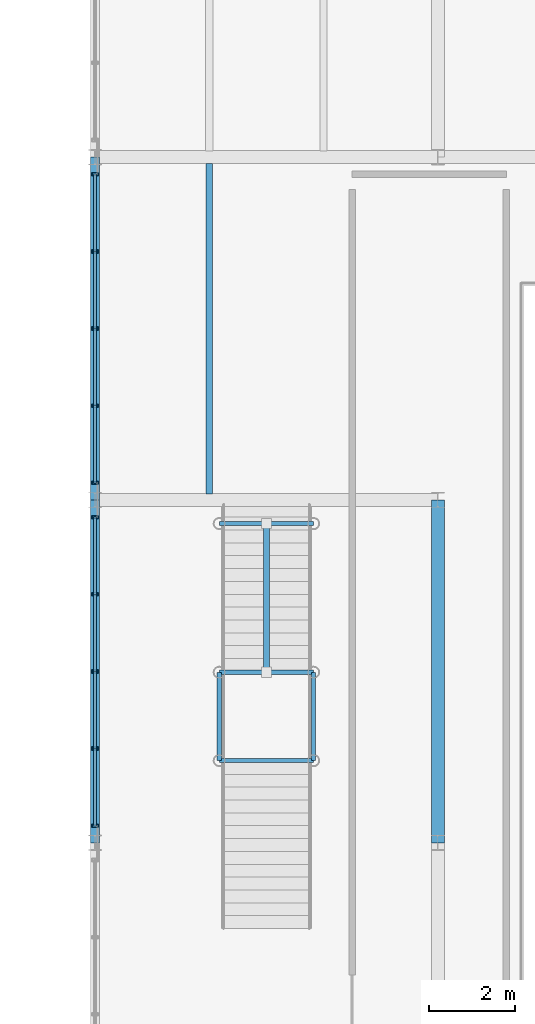
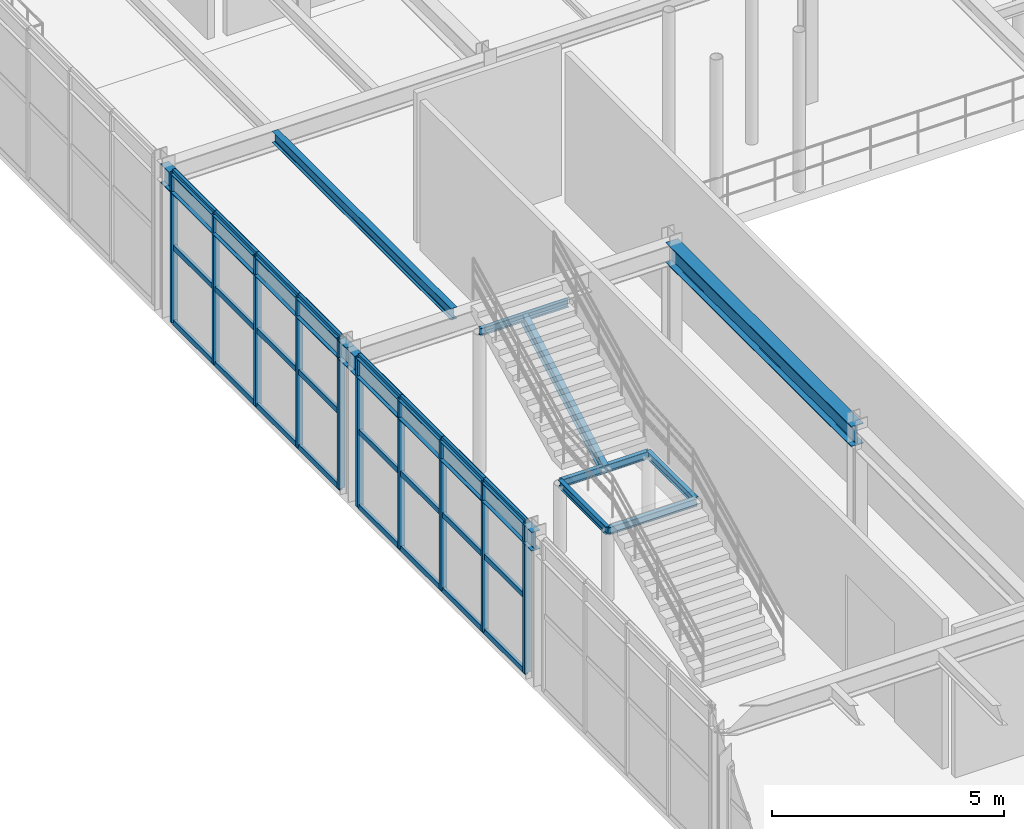
# One storey, part 24 of 122: 35 members, 9 beams, 2 elements without a shape of their own.
"""IFC4 building model written with IfcOpenShell, lengths in metres."""

from ifc_helpers import new_model, si_unit, direction, frame, origin, origin_2d, place, context, subcontext, project, spatial, hollow_rectangle, i_section, extrude, material, material_profile, profile_set, type_object, element, aggregate, save


model = new_model("IFC4")

# Units and contexts
model_context = context("Model", 3, precision=1e-05, world=origin(), true_north=direction((0.0, 1.0)))
body_context = subcontext(model_context, "Body", "Model", "MODEL_VIEW")
ifc_project = project(units=[si_unit("LENGTHUNIT", "METRE"), si_unit("AREAUNIT", "SQUARE_METRE"), si_unit("VOLUMEUNIT", "CUBIC_METRE"), si_unit("PLANEANGLEUNIT", "RADIAN"), si_unit("MASSUNIT", "GRAM", prefix="KILO")], contexts=[model_context])

# Site, building, storey
site_placement = place(None, origin())
site = spatial("IfcSite", under=ifc_project, at=site_placement, CompositionType="ELEMENT")
building_placement = place(site_placement, origin())
building = spatial("IfcBuilding", under=site, at=building_placement, Name="Sundkrona Museum", CompositionType="ELEMENT")
storey_placement = place(building_placement, frame((0.0, 0.0, 5.39990234375)))
storey = spatial("IfcBuildingStorey", under=building, at=storey_placement, Name="L01", CompositionType="ELEMENT", Elevation=5.39990234375)

# Beam
ifc_material_1 = material(Name="Steel S355J2", Category="steel")
ifc_material_profile_1 = material_profile(ifc_material_1, i_section(OverallWidth=0.300048828125, OverallDepth=0.5400390625, WebThickness=0.012451171875, FlangeThickness=0.02392578125, FilletRadius=0.027099609375, at=origin_2d()), Name="HEA 550")
ifc_profile_set_1 = profile_set([ifc_material_profile_1], Name="Steel S355J2")
beam_type_1 = type_object("IfcBeamType", Name="B-HEA550", PredefinedType="BEAM", material=ifc_profile_set_1)
beam_1_placement = place(storey_placement, frame((88.0, 16.0, 3.670166015625), z_axis=(0.0, 1.0, 0.0), x_axis=(-1.0, 0.0, 0.0)))
element("IfcBeam", 1, at=beam_1_placement, inside=storey, type_object=beam_type_1, Name="L01 Girder Y-1021", PredefinedType="BEAM", context=body_context, shape_type="SweptSolid", body=[
    extrude(i_section(OverallWidth=0.300048828125, OverallDepth=0.5400390625, WebThickness=0.012451171875, FlangeThickness=0.02392578125, FilletRadius=0.027099609375, at=origin_2d()), origin(), (0.0, 0.0, 1.0), 8.0),
])

# Member
ifc_material_profile_2 = material_profile(ifc_material_1, i_section(OverallWidth=0.135009765625, OverallDepth=0.27001953125, WebThickness=0.006591796875, FlangeThickness=0.01025390625, FilletRadius=0.014892578125, at=origin_2d()), Name="IPE 270")
ifc_profile_set_2 = profile_set([ifc_material_profile_2], Name="Steel S355J2")
member_type_1 = type_object("IfcMemberType", Name="BR-IPE270", PredefinedType="BRACE", material=ifc_profile_set_2)
member_1_placement = place(storey_placement, frame((84.0, 19.97998046875, 1.780029296875), z_axis=(0.0, 0.879232589604, 0.476392751181), x_axis=(-1.0, 0.0, 0.0)))
element("IfcMember", 2, at=member_1_placement, inside=storey, type_object=member_type_1, Name="SRK-1 Feature Stair FS-2 Flight 2 Inclined Carriage Raker", PredefinedType="BRACE", context=body_context, shape_type="SweptSolid", body=[
    extrude(i_section(OverallWidth=0.135009765625, OverallDepth=0.27001953125, WebThickness=0.006591796875, FlangeThickness=0.01025390625, FilletRadius=0.014892578125, at=origin_2d()), origin(), (0.0, 0.0, 1.0), 3.946533203125),
])

# Beams
ifc_material_profile_3 = material_profile(ifc_material_1, i_section(OverallWidth=0.10009765625, OverallDepth=0.199951171875, WebThickness=0.005615234375, FlangeThickness=0.008544921875, FilletRadius=0.011962890625, at=origin_2d()), Name="IPE 200")
ifc_profile_set_3 = profile_set([ifc_material_profile_3], Name="Steel S355J2")
beam_type_2 = type_object("IfcBeamType", Name="J-IPE200", PredefinedType="JOIST", material=ifc_profile_set_3)
for number, where, z_axis, x_axis, name in (
    (3, (85.10009765625, 17.919921875, 1.780029296875), (-1.0, 0.0, 0.0), (0.0, -1.0, 0.0), "Feature Stair FS-2 S1 Trimmer Beam"),
    (4, (85.10009765625, 19.97998046875, 1.780029296875), (-1.0, 0.0, 0.0), (0.0, -1.0, 0.0), "Feature Stair FS-2 S2 Trimmer Beam"),
    (5, (85.10009765625, 23.449951171875, 3.66015625), (-1.0, 0.0, 0.0), (0.0, -1.0, 0.0), "Feature Stair FS-2 S3 Trimmer Beam"),
):
    element("IfcBeam", number, at=place(storey_placement, frame(where, z_axis=z_axis, x_axis=x_axis)), inside=storey, type_object=beam_type_2, Name=name, PredefinedType="JOIST", context=body_context, shape_type="SweptSolid", body=[
        extrude(i_section(OverallWidth=0.10009765625, OverallDepth=0.199951171875, WebThickness=0.005615234375, FlangeThickness=0.008544921875, FilletRadius=0.011962890625, at=origin_2d()), origin(), (0.0, 0.0, 1.0), 2.2001953125),
    ])
for number, where, z_axis, x_axis, name in (
    (6, (85.10009765625, 17.919921875, 1.780029296875), (0.0, 1.0, 0.0), (-1.0, 0.0, 0.0), "Feature Stair FS-2 Landing Stringer L"),
    (7, (82.89990234375, 17.919921875, 1.780029296875), (0.0, 1.0, 0.0), (-1.0, 0.0, 0.0), "Feature Stair FS-2 Landing Stringer R"),
):
    element("IfcBeam", number, at=place(storey_placement, frame(where, z_axis=z_axis, x_axis=x_axis)), inside=storey, type_object=beam_type_2, Name=name, PredefinedType="JOIST", context=body_context, shape_type="SweptSolid", body=[
        extrude(i_section(OverallWidth=0.10009765625, OverallDepth=0.199951171875, WebThickness=0.005615234375, FlangeThickness=0.008544921875, FilletRadius=0.011962890625, at=origin_2d()), origin(), (0.0, 0.0, 1.0), 2.06005859375),
    ])
ifc_material_profile_4 = material_profile(ifc_material_1, i_section(OverallWidth=0.14990234375, OverallDepth=0.300048828125, WebThickness=0.007080078125, FlangeThickness=0.0107421875, FilletRadius=0.014892578125, at=origin_2d()), Name="IPE 300")
ifc_profile_set_4 = profile_set([ifc_material_profile_4], Name="Steel S355J2")
beam_type_3 = type_object("IfcBeamType", Name="J-IPE300", PredefinedType="JOIST", material=ifc_profile_set_4)
beam_2_placement = place(storey_placement, frame((82.666748046875, 24.14404296875, 3.7900390625), z_axis=(0.0, 1.0, 0.0), x_axis=(-1.0, 0.0, 0.0)))
element("IfcBeam", 8, at=beam_2_placement, inside=storey, type_object=beam_type_3, Name="L01 Composite Joist 0635", PredefinedType="JOIST", context=body_context, shape_type="SweptSolid", body=[
    extrude(i_section(OverallWidth=0.14990234375, OverallDepth=0.300048828125, WebThickness=0.007080078125, FlangeThickness=0.0107421875, FilletRadius=0.014892578125, at=origin_2d()), origin(), (0.0, 0.0, 1.0), 7.7119140625),
])

# Curtain wall, members
ifc_material_2 = material(Name="Unitised Aluminium-Steel and Ceramic-Clad Curtain Walling", Category="steel")
curtain_wall_type = type_object("IfcCurtainWallType", Name="CW-AT-72x38", PredefinedType="NOTDEFINED", material=ifc_material_2)
curtain_wall_1_placement = place(storey_placement, origin())
curtain_wall_1 = element("IfcCurtainWall", 9, at=curtain_wall_1_placement, inside=storey, type_object=curtain_wall_type, Name="L01 Curtain Wall CW-L01-035", PredefinedType="NOTDEFINED")
ifc_material_3 = material(Name="Aluminium EN AW-6060 T66", Category="aluminium")
ifc_material_profile_5 = material_profile(ifc_material_3, hollow_rectangle(XDim=0.074951171875, YDim=0.14990234375, WallThickness=0.00634765625, at=origin_2d()), Name="RHS 150x75x6.3")
ifc_profile_set_5 = profile_set([ifc_material_profile_5], Name="Aluminium EN AW-6060 T66")
member_type_2 = type_object("IfcMemberType", Name="ML-150", PredefinedType="MULLION", material=ifc_profile_set_5)
member_2_placement = place(storey_placement, frame((80.0, 16.39990234375, -0.00390625), z_axis=(0.0, 0.0, 1.0), x_axis=(0.0, 1.0, 0.0)))
member_2 = element("IfcMember", 10, at=member_2_placement, type_object=member_type_2, Name="CW-L01-035 Mullion 01", PredefinedType="MULLION", context=body_context, shape_type="SweptSolid", body=[
    extrude(hollow_rectangle(XDim=0.074951171875, YDim=0.14990234375, WallThickness=0.00634765625, at=origin_2d()), origin(), (0.0, 0.0, 1.0), 3.947998046875),
])
member_3_placement = place(storey_placement, frame((80.0, 18.199951171875, -0.00390625), z_axis=(0.0, 0.0, 1.0), x_axis=(0.0, 1.0, 0.0)))
member_3 = element("IfcMember", 11, at=member_3_placement, type_object=member_type_2, Name="CW-L01-035 Mullion 02", PredefinedType="MULLION", context=body_context, shape_type="SweptSolid", body=[
    extrude(hollow_rectangle(XDim=0.074951171875, YDim=0.14990234375, WallThickness=0.00634765625, at=origin_2d()), origin(), (0.0, 0.0, 1.0), 3.947998046875),
])
member_4_placement = place(storey_placement, frame((80.0, 20.0, -0.00390625), z_axis=(0.0, 0.0, 1.0), x_axis=(0.0, 1.0, 0.0)))
member_4 = element("IfcMember", 12, at=member_4_placement, type_object=member_type_2, Name="CW-L01-035 Mullion 03", PredefinedType="MULLION", context=body_context, shape_type="SweptSolid", body=[
    extrude(hollow_rectangle(XDim=0.074951171875, YDim=0.14990234375, WallThickness=0.00634765625, at=origin_2d()), origin(), (0.0, 0.0, 1.0), 3.947998046875),
])
member_5_placement = place(storey_placement, frame((80.0, 21.800048828125, -0.00390625), z_axis=(0.0, 0.0, 1.0), x_axis=(0.0, 1.0, 0.0)))
member_5 = element("IfcMember", 13, at=member_5_placement, type_object=member_type_2, Name="CW-L01-035 Mullion 04", PredefinedType="MULLION", context=body_context, shape_type="SweptSolid", body=[
    extrude(hollow_rectangle(XDim=0.074951171875, YDim=0.14990234375, WallThickness=0.00634765625, at=origin_2d()), origin(), (0.0, 0.0, 1.0), 3.947998046875),
])
member_6_placement = place(storey_placement, frame((80.0, 23.60009765625, -0.00390625), z_axis=(0.0, 0.0, 1.0), x_axis=(0.0, 1.0, 0.0)))
member_6 = element("IfcMember", 14, at=member_6_placement, type_object=member_type_2, Name="CW-L01-035 Mullion 05", PredefinedType="MULLION", context=body_context, shape_type="SweptSolid", body=[
    extrude(hollow_rectangle(XDim=0.074951171875, YDim=0.14990234375, WallThickness=0.00634765625, at=origin_2d()), origin(), (0.0, 0.0, 1.0), 3.947998046875),
])

curtain_wall_2_placement = place(storey_placement, origin())
curtain_wall_2 = element("IfcCurtainWall", 15, at=curtain_wall_2_placement, inside=storey, type_object=curtain_wall_type, Name="L01 Curtain Wall CW-L01-036", PredefinedType="NOTDEFINED")
member_7_placement = place(storey_placement, frame((80.0, 24.39990234375, -0.00390625), z_axis=(0.0, 0.0, 1.0), x_axis=(0.0, 1.0, 0.0)))
member_7 = element("IfcMember", 16, at=member_7_placement, type_object=member_type_2, Name="CW-L01-036 Mullion 01", PredefinedType="MULLION", context=body_context, shape_type="SweptSolid", body=[
    extrude(hollow_rectangle(XDim=0.074951171875, YDim=0.14990234375, WallThickness=0.00634765625, at=origin_2d()), origin(), (0.0, 0.0, 1.0), 3.947998046875),
])
member_8_placement = place(storey_placement, frame((80.0, 26.199951171875, -0.00390625), z_axis=(0.0, 0.0, 1.0), x_axis=(0.0, 1.0, 0.0)))
member_8 = element("IfcMember", 17, at=member_8_placement, type_object=member_type_2, Name="CW-L01-036 Mullion 02", PredefinedType="MULLION", context=body_context, shape_type="SweptSolid", body=[
    extrude(hollow_rectangle(XDim=0.074951171875, YDim=0.14990234375, WallThickness=0.00634765625, at=origin_2d()), origin(), (0.0, 0.0, 1.0), 3.947998046875),
])
member_9_placement = place(storey_placement, frame((80.0, 28.0, -0.00390625), z_axis=(0.0, 0.0, 1.0), x_axis=(0.0, 1.0, 0.0)))
member_9 = element("IfcMember", 18, at=member_9_placement, type_object=member_type_2, Name="CW-L01-036 Mullion 03", PredefinedType="MULLION", context=body_context, shape_type="SweptSolid", body=[
    extrude(hollow_rectangle(XDim=0.074951171875, YDim=0.14990234375, WallThickness=0.00634765625, at=origin_2d()), origin(), (0.0, 0.0, 1.0), 3.947998046875),
])
member_10_placement = place(storey_placement, frame((80.0, 29.800048828125, -0.00390625), z_axis=(0.0, 0.0, 1.0), x_axis=(0.0, 1.0, 0.0)))
member_10 = element("IfcMember", 19, at=member_10_placement, type_object=member_type_2, Name="CW-L01-036 Mullion 04", PredefinedType="MULLION", context=body_context, shape_type="SweptSolid", body=[
    extrude(hollow_rectangle(XDim=0.074951171875, YDim=0.14990234375, WallThickness=0.00634765625, at=origin_2d()), origin(), (0.0, 0.0, 1.0), 3.947998046875),
])
member_11_placement = place(storey_placement, frame((80.0, 31.60009765625, -0.00390625), z_axis=(0.0, 0.0, 1.0), x_axis=(0.0, 1.0, 0.0)))
member_11 = element("IfcMember", 20, at=member_11_placement, type_object=member_type_2, Name="CW-L01-036 Mullion 05", PredefinedType="MULLION", context=body_context, shape_type="SweptSolid", body=[
    extrude(hollow_rectangle(XDim=0.074951171875, YDim=0.14990234375, WallThickness=0.00634765625, at=origin_2d()), origin(), (0.0, 0.0, 1.0), 3.947998046875),
])

# Beams
ifc_material_profile_6 = material_profile(ifc_material_1, i_section(OverallWidth=0.199951171875, OverallDepth=0.5, WebThickness=0.01025390625, FlangeThickness=0.01611328125, FilletRadius=0.02099609375, at=origin_2d()), Name="IPE 500")
ifc_profile_set_6 = profile_set([ifc_material_profile_6], Name="Steel S355J2")
beam_type_4 = type_object("IfcBeamType", Name="SP-IPE500", PredefinedType="SPANDREL", material=ifc_profile_set_6)
for number, where, z_axis, x_axis, name in (
    (21, (80.0, 16.0, 3.690185546875), (0.0, 1.0, 0.0), (-1.0, 0.0, 0.0), "L01 Girder Y-1011"),
    (22, (80.0, 24.0, 3.690185546875), (0.0, 1.0, 0.0), (-1.0, 0.0, 0.0), "L01 Girder Y-1012"),
):
    element("IfcBeam", number, at=place(storey_placement, frame(where, z_axis=z_axis, x_axis=x_axis)), inside=storey, type_object=beam_type_4, Name=name, PredefinedType="SPANDREL", context=body_context, shape_type="SweptSolid", body=[
        extrude(i_section(OverallWidth=0.199951171875, OverallDepth=0.5, WebThickness=0.01025390625, FlangeThickness=0.01611328125, FilletRadius=0.02099609375, at=origin_2d()), origin(), (0.0, 0.0, 1.0), 8.0),
    ])

# Member
ifc_material_profile_7 = material_profile(ifc_material_3, hollow_rectangle(XDim=0.070068359375, YDim=0.139892578125, WallThickness=0.0048828125, at=origin_2d()), Name="RHS 140x70x5.0")
ifc_profile_set_7 = profile_set([ifc_material_profile_7], Name="Aluminium EN AW-6060 T66")
member_type_3 = type_object("IfcMemberType", Name="TR-140", PredefinedType="USERDEFINED", material=ifc_profile_set_7)
member_12_placement = place(storey_placement, frame((80.0, 16.39990234375, -0.00390625), z_axis=(0.0, 1.0, 0.0), x_axis=(-1.0, 0.0, 0.0)))
member_12 = element("IfcMember", 23, at=member_12_placement, type_object=member_type_3, Name="CW-L01-035 Transom 01", ObjectType="TRANSOM", PredefinedType="USERDEFINED", context=body_context, shape_type="SweptSolid", body=[
    extrude(hollow_rectangle(XDim=0.070068359375, YDim=0.139892578125, WallThickness=0.0048828125, at=origin_2d()), origin(), (0.0, 0.0, 1.0), 1.800048828125),
])

member_13_placement = place(storey_placement, frame((80.0, 16.39990234375, 1.97021484375), z_axis=(0.0, 1.0, 0.0), x_axis=(-1.0, 0.0, 0.0)))
member_13 = element("IfcMember", 24, at=member_13_placement, type_object=member_type_3, Name="CW-L01-035 Transom 02", ObjectType="TRANSOM", PredefinedType="USERDEFINED", context=body_context, shape_type="SweptSolid", body=[
    extrude(hollow_rectangle(XDim=0.070068359375, YDim=0.139892578125, WallThickness=0.0048828125, at=origin_2d()), origin(), (0.0, 0.0, 1.0), 1.800048828125),
])

member_14_placement = place(storey_placement, frame((80.0, 16.39990234375, 3.944091796875), z_axis=(0.0, 1.0, 0.0), x_axis=(-1.0, 0.0, 0.0)))
member_14 = element("IfcMember", 25, at=member_14_placement, type_object=member_type_3, Name="CW-L01-035 Transom 03", ObjectType="TRANSOM", PredefinedType="USERDEFINED", context=body_context, shape_type="SweptSolid", body=[
    extrude(hollow_rectangle(XDim=0.070068359375, YDim=0.139892578125, WallThickness=0.0048828125, at=origin_2d()), origin(), (0.0, 0.0, 1.0), 1.800048828125),
])

member_15_placement = place(storey_placement, frame((80.0, 18.199951171875, -0.00390625), z_axis=(0.0, 1.0, 0.0), x_axis=(-1.0, 0.0, 0.0)))
member_15 = element("IfcMember", 26, at=member_15_placement, type_object=member_type_3, Name="CW-L01-035 Transom 04", ObjectType="TRANSOM", PredefinedType="USERDEFINED", context=body_context, shape_type="SweptSolid", body=[
    extrude(hollow_rectangle(XDim=0.070068359375, YDim=0.139892578125, WallThickness=0.0048828125, at=origin_2d()), origin(), (0.0, 0.0, 1.0), 1.800048828125),
])

member_16_placement = place(storey_placement, frame((80.0, 18.199951171875, 1.97021484375), z_axis=(0.0, 1.0, 0.0), x_axis=(-1.0, 0.0, 0.0)))
member_16 = element("IfcMember", 27, at=member_16_placement, type_object=member_type_3, Name="CW-L01-035 Transom 05", ObjectType="TRANSOM", PredefinedType="USERDEFINED", context=body_context, shape_type="SweptSolid", body=[
    extrude(hollow_rectangle(XDim=0.070068359375, YDim=0.139892578125, WallThickness=0.0048828125, at=origin_2d()), origin(), (0.0, 0.0, 1.0), 1.800048828125),
])

member_17_placement = place(storey_placement, frame((80.0, 18.199951171875, 3.944091796875), z_axis=(0.0, 1.0, 0.0), x_axis=(-1.0, 0.0, 0.0)))
member_17 = element("IfcMember", 28, at=member_17_placement, type_object=member_type_3, Name="CW-L01-035 Transom 06", ObjectType="TRANSOM", PredefinedType="USERDEFINED", context=body_context, shape_type="SweptSolid", body=[
    extrude(hollow_rectangle(XDim=0.070068359375, YDim=0.139892578125, WallThickness=0.0048828125, at=origin_2d()), origin(), (0.0, 0.0, 1.0), 1.800048828125),
])

member_18_placement = place(storey_placement, frame((80.0, 20.0, -0.00390625), z_axis=(0.0, 1.0, 0.0), x_axis=(-1.0, 0.0, 0.0)))
member_18 = element("IfcMember", 29, at=member_18_placement, type_object=member_type_3, Name="CW-L01-035 Transom 07", ObjectType="TRANSOM", PredefinedType="USERDEFINED", context=body_context, shape_type="SweptSolid", body=[
    extrude(hollow_rectangle(XDim=0.070068359375, YDim=0.139892578125, WallThickness=0.0048828125, at=origin_2d()), origin(), (0.0, 0.0, 1.0), 1.800048828125),
])

member_19_placement = place(storey_placement, frame((80.0, 20.0, 1.97021484375), z_axis=(0.0, 1.0, 0.0), x_axis=(-1.0, 0.0, 0.0)))
member_19 = element("IfcMember", 30, at=member_19_placement, type_object=member_type_3, Name="CW-L01-035 Transom 08", ObjectType="TRANSOM", PredefinedType="USERDEFINED", context=body_context, shape_type="SweptSolid", body=[
    extrude(hollow_rectangle(XDim=0.070068359375, YDim=0.139892578125, WallThickness=0.0048828125, at=origin_2d()), origin(), (0.0, 0.0, 1.0), 1.800048828125),
])

member_20_placement = place(storey_placement, frame((80.0, 20.0, 3.944091796875), z_axis=(0.0, 1.0, 0.0), x_axis=(-1.0, 0.0, 0.0)))
member_20 = element("IfcMember", 31, at=member_20_placement, type_object=member_type_3, Name="CW-L01-035 Transom 09", ObjectType="TRANSOM", PredefinedType="USERDEFINED", context=body_context, shape_type="SweptSolid", body=[
    extrude(hollow_rectangle(XDim=0.070068359375, YDim=0.139892578125, WallThickness=0.0048828125, at=origin_2d()), origin(), (0.0, 0.0, 1.0), 1.800048828125),
])

member_21_placement = place(storey_placement, frame((80.0, 21.800048828125, -0.00390625), z_axis=(0.0, 1.0, 0.0), x_axis=(-1.0, 0.0, 0.0)))
member_21 = element("IfcMember", 32, at=member_21_placement, type_object=member_type_3, Name="CW-L01-035 Transom 10", ObjectType="TRANSOM", PredefinedType="USERDEFINED", context=body_context, shape_type="SweptSolid", body=[
    extrude(hollow_rectangle(XDim=0.070068359375, YDim=0.139892578125, WallThickness=0.0048828125, at=origin_2d()), origin(), (0.0, 0.0, 1.0), 1.800048828125),
])

member_22_placement = place(storey_placement, frame((80.0, 21.800048828125, 1.97021484375), z_axis=(0.0, 1.0, 0.0), x_axis=(-1.0, 0.0, 0.0)))
member_22 = element("IfcMember", 33, at=member_22_placement, type_object=member_type_3, Name="CW-L01-035 Transom 11", ObjectType="TRANSOM", PredefinedType="USERDEFINED", context=body_context, shape_type="SweptSolid", body=[
    extrude(hollow_rectangle(XDim=0.070068359375, YDim=0.139892578125, WallThickness=0.0048828125, at=origin_2d()), origin(), (0.0, 0.0, 1.0), 1.800048828125),
])

member_23_placement = place(storey_placement, frame((80.0, 21.800048828125, 3.944091796875), z_axis=(0.0, 1.0, 0.0), x_axis=(-1.0, 0.0, 0.0)))
member_23 = element("IfcMember", 34, at=member_23_placement, type_object=member_type_3, Name="CW-L01-035 Transom 12", ObjectType="TRANSOM", PredefinedType="USERDEFINED", context=body_context, shape_type="SweptSolid", body=[
    extrude(hollow_rectangle(XDim=0.070068359375, YDim=0.139892578125, WallThickness=0.0048828125, at=origin_2d()), origin(), (0.0, 0.0, 1.0), 1.800048828125),
])

aggregate(curtain_wall_1, [member_2, member_3, member_4, member_5, member_6, member_12, member_13, member_14, member_15, member_16, member_17, member_18, member_19, member_20, member_21, member_22, member_23])

member_24_placement = place(storey_placement, frame((80.0, 24.39990234375, -0.00390625), z_axis=(0.0, 1.0, 0.0), x_axis=(-1.0, 0.0, 0.0)))
member_24 = element("IfcMember", 35, at=member_24_placement, type_object=member_type_3, Name="CW-L01-036 Transom 01", ObjectType="TRANSOM", PredefinedType="USERDEFINED", context=body_context, shape_type="SweptSolid", body=[
    extrude(hollow_rectangle(XDim=0.070068359375, YDim=0.139892578125, WallThickness=0.0048828125, at=origin_2d()), origin(), (0.0, 0.0, 1.0), 1.800048828125),
])

member_25_placement = place(storey_placement, frame((80.0, 24.39990234375, 1.97021484375), z_axis=(0.0, 1.0, 0.0), x_axis=(-1.0, 0.0, 0.0)))
member_25 = element("IfcMember", 36, at=member_25_placement, type_object=member_type_3, Name="CW-L01-036 Transom 02", ObjectType="TRANSOM", PredefinedType="USERDEFINED", context=body_context, shape_type="SweptSolid", body=[
    extrude(hollow_rectangle(XDim=0.070068359375, YDim=0.139892578125, WallThickness=0.0048828125, at=origin_2d()), origin(), (0.0, 0.0, 1.0), 1.800048828125),
])

member_26_placement = place(storey_placement, frame((80.0, 24.39990234375, 3.944091796875), z_axis=(0.0, 1.0, 0.0), x_axis=(-1.0, 0.0, 0.0)))
member_26 = element("IfcMember", 37, at=member_26_placement, type_object=member_type_3, Name="CW-L01-036 Transom 03", ObjectType="TRANSOM", PredefinedType="USERDEFINED", context=body_context, shape_type="SweptSolid", body=[
    extrude(hollow_rectangle(XDim=0.070068359375, YDim=0.139892578125, WallThickness=0.0048828125, at=origin_2d()), origin(), (0.0, 0.0, 1.0), 1.800048828125),
])

member_27_placement = place(storey_placement, frame((80.0, 26.199951171875, -0.00390625), z_axis=(0.0, 1.0, 0.0), x_axis=(-1.0, 0.0, 0.0)))
member_27 = element("IfcMember", 38, at=member_27_placement, type_object=member_type_3, Name="CW-L01-036 Transom 04", ObjectType="TRANSOM", PredefinedType="USERDEFINED", context=body_context, shape_type="SweptSolid", body=[
    extrude(hollow_rectangle(XDim=0.070068359375, YDim=0.139892578125, WallThickness=0.0048828125, at=origin_2d()), origin(), (0.0, 0.0, 1.0), 1.800048828125),
])

member_28_placement = place(storey_placement, frame((80.0, 26.199951171875, 1.97021484375), z_axis=(0.0, 1.0, 0.0), x_axis=(-1.0, 0.0, 0.0)))
member_28 = element("IfcMember", 39, at=member_28_placement, type_object=member_type_3, Name="CW-L01-036 Transom 05", ObjectType="TRANSOM", PredefinedType="USERDEFINED", context=body_context, shape_type="SweptSolid", body=[
    extrude(hollow_rectangle(XDim=0.070068359375, YDim=0.139892578125, WallThickness=0.0048828125, at=origin_2d()), origin(), (0.0, 0.0, 1.0), 1.800048828125),
])

member_29_placement = place(storey_placement, frame((80.0, 26.199951171875, 3.944091796875), z_axis=(0.0, 1.0, 0.0), x_axis=(-1.0, 0.0, 0.0)))
member_29 = element("IfcMember", 40, at=member_29_placement, type_object=member_type_3, Name="CW-L01-036 Transom 06", ObjectType="TRANSOM", PredefinedType="USERDEFINED", context=body_context, shape_type="SweptSolid", body=[
    extrude(hollow_rectangle(XDim=0.070068359375, YDim=0.139892578125, WallThickness=0.0048828125, at=origin_2d()), origin(), (0.0, 0.0, 1.0), 1.800048828125),
])

member_30_placement = place(storey_placement, frame((80.0, 28.0, -0.00390625), z_axis=(0.0, 1.0, 0.0), x_axis=(-1.0, 0.0, 0.0)))
member_30 = element("IfcMember", 41, at=member_30_placement, type_object=member_type_3, Name="CW-L01-036 Transom 07", ObjectType="TRANSOM", PredefinedType="USERDEFINED", context=body_context, shape_type="SweptSolid", body=[
    extrude(hollow_rectangle(XDim=0.070068359375, YDim=0.139892578125, WallThickness=0.0048828125, at=origin_2d()), origin(), (0.0, 0.0, 1.0), 1.800048828125),
])

member_31_placement = place(storey_placement, frame((80.0, 28.0, 1.97021484375), z_axis=(0.0, 1.0, 0.0), x_axis=(-1.0, 0.0, 0.0)))
member_31 = element("IfcMember", 42, at=member_31_placement, type_object=member_type_3, Name="CW-L01-036 Transom 08", ObjectType="TRANSOM", PredefinedType="USERDEFINED", context=body_context, shape_type="SweptSolid", body=[
    extrude(hollow_rectangle(XDim=0.070068359375, YDim=0.139892578125, WallThickness=0.0048828125, at=origin_2d()), origin(), (0.0, 0.0, 1.0), 1.800048828125),
])

member_32_placement = place(storey_placement, frame((80.0, 28.0, 3.944091796875), z_axis=(0.0, 1.0, 0.0), x_axis=(-1.0, 0.0, 0.0)))
member_32 = element("IfcMember", 43, at=member_32_placement, type_object=member_type_3, Name="CW-L01-036 Transom 09", ObjectType="TRANSOM", PredefinedType="USERDEFINED", context=body_context, shape_type="SweptSolid", body=[
    extrude(hollow_rectangle(XDim=0.070068359375, YDim=0.139892578125, WallThickness=0.0048828125, at=origin_2d()), origin(), (0.0, 0.0, 1.0), 1.800048828125),
])

member_33_placement = place(storey_placement, frame((80.0, 29.800048828125, -0.00390625), z_axis=(0.0, 1.0, 0.0), x_axis=(-1.0, 0.0, 0.0)))
member_33 = element("IfcMember", 44, at=member_33_placement, type_object=member_type_3, Name="CW-L01-036 Transom 10", ObjectType="TRANSOM", PredefinedType="USERDEFINED", context=body_context, shape_type="SweptSolid", body=[
    extrude(hollow_rectangle(XDim=0.070068359375, YDim=0.139892578125, WallThickness=0.0048828125, at=origin_2d()), origin(), (0.0, 0.0, 1.0), 1.800048828125),
])

member_34_placement = place(storey_placement, frame((80.0, 29.800048828125, 1.97021484375), z_axis=(0.0, 1.0, 0.0), x_axis=(-1.0, 0.0, 0.0)))
member_34 = element("IfcMember", 45, at=member_34_placement, type_object=member_type_3, Name="CW-L01-036 Transom 11", ObjectType="TRANSOM", PredefinedType="USERDEFINED", context=body_context, shape_type="SweptSolid", body=[
    extrude(hollow_rectangle(XDim=0.070068359375, YDim=0.139892578125, WallThickness=0.0048828125, at=origin_2d()), origin(), (0.0, 0.0, 1.0), 1.800048828125),
])

member_35_placement = place(storey_placement, frame((80.0, 29.800048828125, 3.944091796875), z_axis=(0.0, 1.0, 0.0), x_axis=(-1.0, 0.0, 0.0)))
member_35 = element("IfcMember", 46, at=member_35_placement, type_object=member_type_3, Name="CW-L01-036 Transom 12", ObjectType="TRANSOM", PredefinedType="USERDEFINED", context=body_context, shape_type="SweptSolid", body=[
    extrude(hollow_rectangle(XDim=0.070068359375, YDim=0.139892578125, WallThickness=0.0048828125, at=origin_2d()), origin(), (0.0, 0.0, 1.0), 1.800048828125),
])

aggregate(curtain_wall_2, [member_7, member_8, member_9, member_10, member_11, member_24, member_25, member_26, member_27, member_28, member_29, member_30, member_31, member_32, member_33, member_34, member_35])

save(model, "model.ifc")
